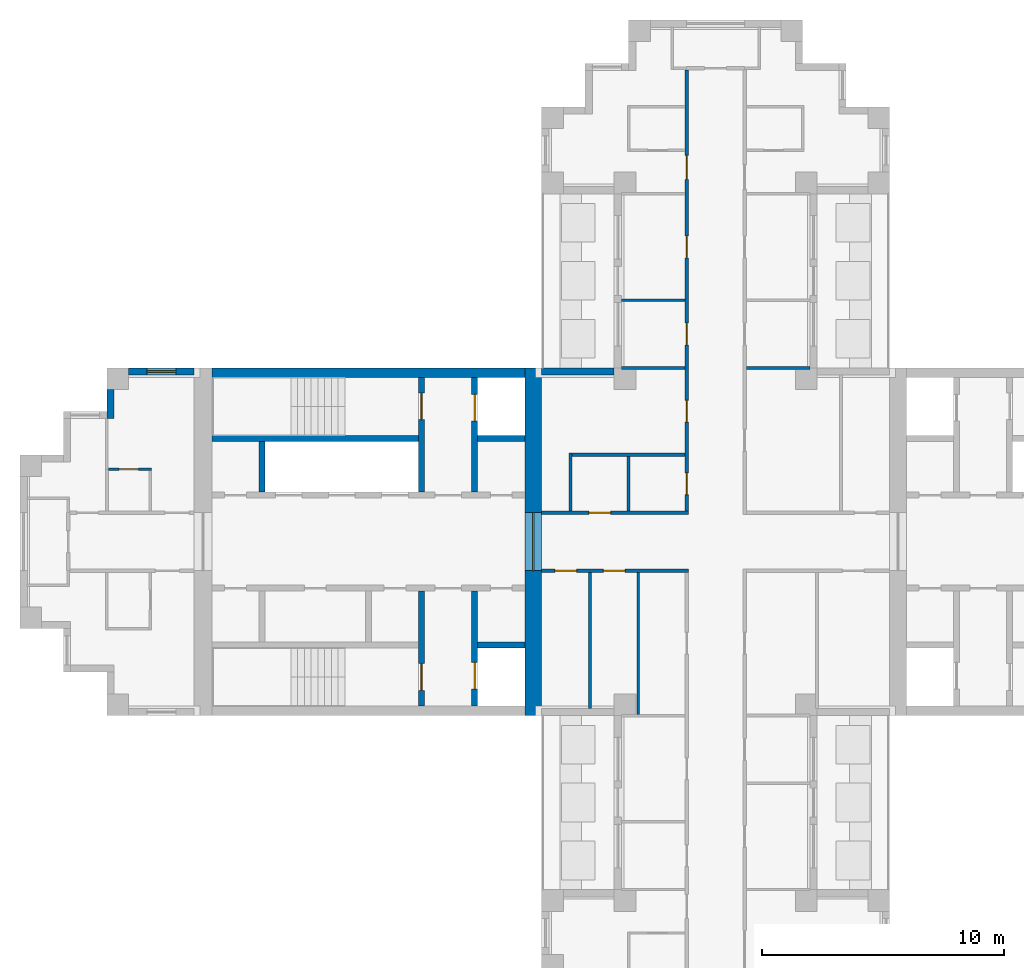
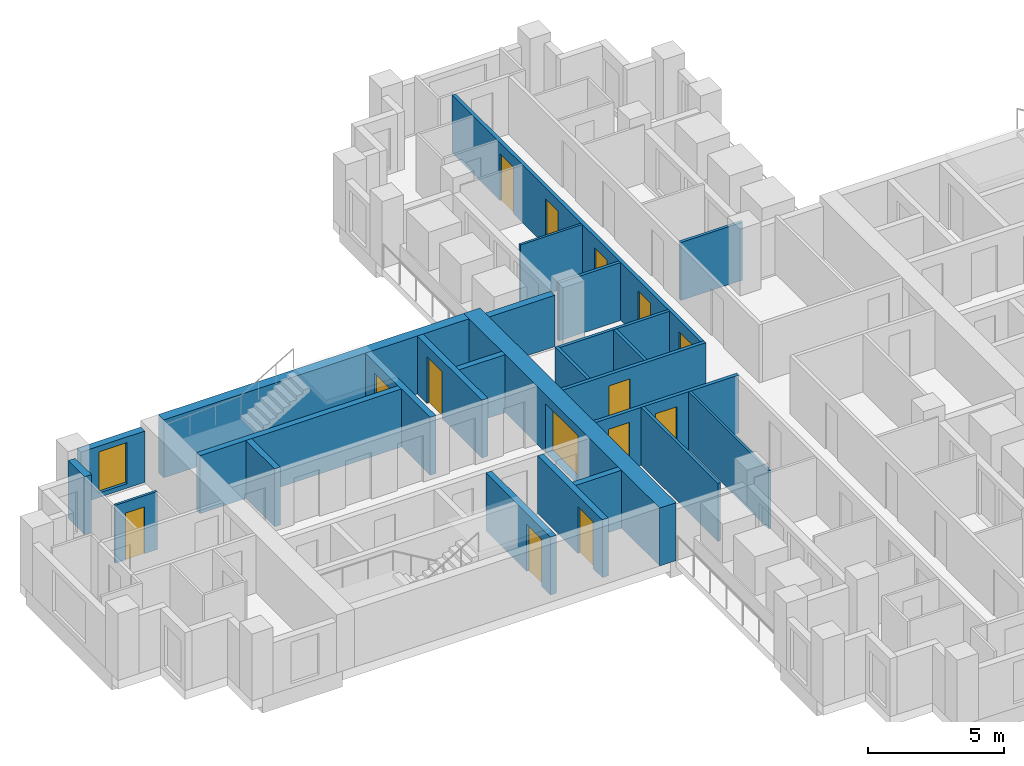
# One storey, part 4 of 10: 25 walls, 14 doors, 1 window, 15 openings.
"""IFC4 building model written with IfcOpenShell, lengths in metres."""

from ifc_helpers import new_model, si_unit, direction, frame, frame_2d, origin, place, context, subcontext, project, spatial, rectangle, extrude, material, layer, layer_set, type_object, element, fill, save


model = new_model("IFC4")

# Units and contexts
model_context = context("Model", 3, precision=1e-05, world=origin(), true_north=direction((0.0, 1.0)))
body_context = subcontext(model_context, "Body", "Model", "MODEL_VIEW")
ifc_project = project(units=[si_unit("LENGTHUNIT", "METRE"), si_unit("AREAUNIT", "SQUARE_METRE"), si_unit("VOLUMEUNIT", "CUBIC_METRE"), si_unit("PLANEANGLEUNIT", "RADIAN"), si_unit("MASSUNIT", "GRAM", prefix="KILO")], contexts=[model_context])

# Site, building, storey
site_placement = place(None, origin())
site = spatial("IfcSite", under=ifc_project, at=site_placement, CompositionType="ELEMENT")
building_placement = place(site_placement, origin())
building = spatial("IfcBuilding", under=site, at=building_placement, Name="Fustian Cross Tower", CompositionType="ELEMENT")
storey_placement = place(building_placement, frame((0.0, 0.0, 231.89990234375)))
storey = spatial("IfcBuildingStorey", under=building, at=storey_placement, Name="L73", CompositionType="ELEMENT", Elevation=231.89990234375)

# Wall, openings, doors
ifc_material_1 = material(Name="Plasterboard on steel stud", Category="steel")
ifc_layer_1 = layer(ifc_material_1, 0.14990234375)
ifc_layer_set_1 = layer_set([ifc_layer_1], Name="Plasterboard on steel stud")
wall_type_1 = type_object("IfcWallType", Name="COMPARTMENT WALL 150 EI 60", PredefinedType="PARTITIONING", material=ifc_layer_set_1)
wall_1_placement = place(storey_placement, frame((-7.199951171875, -1.199951171875, 0.0), z_axis=(0.0, 0.0, 1.0), x_axis=(1.0, 0.0, 0.0)))
wall_1 = element("IfcWall", 1, at=wall_1_placement, inside=storey, type_object=wall_type_1, Name="Partition 15", PredefinedType="PARTITIONING", context=body_context, shape_type="SweptSolid", body=[
    extrude(rectangle(XDim=6.074951171875, YDim=0.14990234375, at=frame_2d((3.03759765625, 0.0))), origin(), (0.0, 0.0, 1.0), 2.60009765625),
])
opening_1_placement = place(wall_1_placement, frame((2.550048828125, 0.0, 0.0)))
opening_1 = element("IfcOpeningElement", 2, at=opening_1_placement, cuts=wall_1, Name="Opening D33009", PredefinedType="OPENING", context=body_context, shape_type="SweptSolid", body=[
    extrude(rectangle(XDim=0.89990234375, YDim=2.10009765625, at=frame_2d((0.449951171875, 1.050048828125))), frame((0.0, 0.0849609375, 0.0), z_axis=(0.0, -1.0, 0.0), x_axis=(1.0, 0.0, 0.0)), (0.0, 0.0, 1.0), 0.169921875),
])
opening_2_placement = place(wall_1_placement, frame((0.550048828125, 0.0, 0.0)))
opening_2 = element("IfcOpeningElement", 3, at=opening_2_placement, cuts=wall_1, Name="Opening D33010", PredefinedType="OPENING", context=body_context, shape_type="SweptSolid", body=[
    extrude(rectangle(XDim=0.89990234375, YDim=2.10009765625, at=frame_2d((0.449951171875, 1.050048828125))), frame((0.0, 0.0849609375, 0.0), z_axis=(0.0, -1.0, 0.0), x_axis=(1.0, 0.0, 0.0)), (0.0, 0.0, 1.0), 0.169921875),
])
ifc_material_2 = material(Name="Timber fire door set", Category="wood")
door_type_1 = type_object("IfcDoorType", Name="FIRE SWING DOOR 900 FD30S", OperationType="SINGLE_SWING_LEFT", PredefinedType="DOOR", material=ifc_material_2)
door_1_placement = place(opening_1_placement, frame((0.89990234375, 0.0, 0.0), z_axis=(0.0, 0.0, 1.0), x_axis=(-1.0, 0.0, 0.0)))
door_1 = element("IfcDoor", 4, at=door_1_placement, inside=storey, type_object=door_type_1, Name="Door D33009", OperationType="SINGLE_SWING_RIGHT", OverallHeight=2.10009765625, OverallWidth=0.89990234375, PredefinedType="DOOR", context=body_context, shape_type="SweptSolid", body=[
    extrude(rectangle(XDim=0.89990234375, YDim=2.10009765625, at=frame_2d((0.449951171875, 1.050048828125))), frame((0.0, 0.02490234375, 0.0), z_axis=(0.0, -1.0, 0.0), x_axis=(1.0, 0.0, 0.0)), (0.0, 0.0, 1.0), 0.050048828125),
])
fill(opening_1, door_1)
door_2_placement = place(opening_2_placement, frame((0.89990234375, 0.0, 0.0), z_axis=(0.0, 0.0, 1.0), x_axis=(-1.0, 0.0, 0.0)))
door_2 = element("IfcDoor", 5, at=door_2_placement, inside=storey, type_object=door_type_1, Name="Door D33010", OperationType="SINGLE_SWING_RIGHT", OverallHeight=2.10009765625, OverallWidth=0.89990234375, PredefinedType="DOOR", context=body_context, shape_type="SweptSolid", body=[
    extrude(rectangle(XDim=0.89990234375, YDim=2.10009765625, at=frame_2d((0.449951171875, 1.050048828125))), frame((0.0, 0.02490234375, 0.0), z_axis=(0.0, -1.0, 0.0), x_axis=(1.0, 0.0, 0.0)), (0.0, 0.0, 1.0), 0.050048828125),
])
fill(opening_2, door_2)

# Wall, opening, door
wall_2_placement = place(storey_placement, frame((-7.199951171875, 1.199951171875, 0.0), z_axis=(0.0, 0.0, 1.0), x_axis=(1.0, 0.0, 0.0)))
wall_2 = element("IfcWall", 6, at=wall_2_placement, inside=storey, type_object=wall_type_1, Name="Partition 16", PredefinedType="PARTITIONING", context=body_context, shape_type="SweptSolid", body=[
    extrude(rectangle(XDim=6.074951171875, YDim=0.14990234375, at=frame_2d((3.03759765625, 0.0))), origin(), (0.0, 0.0, 1.0), 2.60009765625),
])
opening_3_placement = place(wall_2_placement, frame((1.949951171875, 0.0, 0.0)))
opening_3 = element("IfcOpeningElement", 7, at=opening_3_placement, cuts=wall_2, Name="Opening D33004", PredefinedType="OPENING", context=body_context, shape_type="SweptSolid", body=[
    extrude(rectangle(XDim=0.89990234375, YDim=2.10009765625, at=frame_2d((0.449951171875, 1.050048828125))), frame((0.0, 0.0849609375, 0.0), z_axis=(0.0, -1.0, 0.0), x_axis=(1.0, 0.0, 0.0)), (0.0, 0.0, 1.0), 0.169921875),
])
door_3_placement = place(opening_3_placement, origin())
door_3 = element("IfcDoor", 8, at=door_3_placement, inside=storey, type_object=door_type_1, Name="Door D33004", OperationType="SINGLE_SWING_LEFT", OverallHeight=2.10009765625, OverallWidth=0.89990234375, PredefinedType="DOOR", context=body_context, shape_type="SweptSolid", body=[
    extrude(rectangle(XDim=0.89990234375, YDim=2.10009765625, at=frame_2d((0.449951171875, 1.050048828125))), frame((0.0, 0.02490234375, 0.0), z_axis=(0.0, -1.0, 0.0), x_axis=(1.0, 0.0, 0.0)), (0.0, 0.0, 1.0), 0.050048828125),
])
fill(opening_3, door_3)

# Wall, openings, doors
wall_3_placement = place(storey_placement, frame((-1.199951171875, 1.27490234375, 0.0), z_axis=(0.0, 0.0, 1.0), x_axis=(0.0, 1.0, 0.0)))
wall_3 = element("IfcWall", 9, at=wall_3_placement, inside=storey, type_object=wall_type_1, Name="Partition 40", PredefinedType="PARTITIONING", context=body_context, shape_type="SweptSolid", body=[
    extrude(rectangle(XDim=18.25, YDim=0.14990234375, at=frame_2d((9.125, 0.0))), origin(), (0.0, 0.0, 1.0), 2.60009765625),
])
opening_4_placement = place(wall_3_placement, frame((0.675048828125, 0.0, 0.0)))
opening_4 = element("IfcOpeningElement", 10, at=opening_4_placement, cuts=wall_3, Name="Opening D33003", PredefinedType="OPENING", context=body_context, shape_type="SweptSolid", body=[
    extrude(rectangle(XDim=0.89990234375, YDim=2.10009765625, at=frame_2d((0.449951171875, 1.050048828125))), frame((0.0, 0.0849609375, 0.0), z_axis=(0.0, -1.0, 0.0), x_axis=(1.0, 0.0, 0.0)), (0.0, 0.0, 1.0), 0.169921875),
])
opening_5_placement = place(wall_3_placement, frame((3.675048828125, 0.0, 0.0)))
opening_5 = element("IfcOpeningElement", 11, at=opening_5_placement, cuts=wall_3, Name="Opening D33005", PredefinedType="OPENING", context=body_context, shape_type="SweptSolid", body=[
    extrude(rectangle(XDim=0.89990234375, YDim=2.10009765625, at=frame_2d((0.449951171875, 1.050048828125))), frame((0.0, 0.0849609375, 0.0), z_axis=(0.0, -1.0, 0.0), x_axis=(1.0, 0.0, 0.0)), (0.0, 0.0, 1.0), 0.169921875),
])
opening_6_placement = place(wall_3_placement, frame((6.875, 0.0, 0.0)))
opening_6 = element("IfcOpeningElement", 12, at=opening_6_placement, cuts=wall_3, Name="Opening D33018", PredefinedType="OPENING", context=body_context, shape_type="SweptSolid", body=[
    extrude(rectangle(XDim=0.89990234375, YDim=2.10009765625, at=frame_2d((0.449951171875, 1.050048828125))), frame((0.0, 0.0849609375, 0.0), z_axis=(0.0, -1.0, 0.0), x_axis=(1.0, 0.0, 0.0)), (0.0, 0.0, 1.0), 0.169921875),
])
opening_7_placement = place(wall_3_placement, frame((10.47509765625, 0.0, 0.0)))
opening_7 = element("IfcOpeningElement", 13, at=opening_7_placement, cuts=wall_3, Name="Opening D33019", PredefinedType="OPENING", context=body_context, shape_type="SweptSolid", body=[
    extrude(rectangle(XDim=0.89990234375, YDim=2.10009765625, at=frame_2d((0.449951171875, 1.050048828125))), frame((0.0, 0.0849609375, 0.0), z_axis=(0.0, -1.0, 0.0), x_axis=(1.0, 0.0, 0.0)), (0.0, 0.0, 1.0), 0.169921875),
])
opening_8_placement = place(wall_3_placement, frame((13.72509765625, 0.0, 0.0)))
opening_8 = element("IfcOpeningElement", 14, at=opening_8_placement, cuts=wall_3, Name="Opening D33021", PredefinedType="OPENING", context=body_context, shape_type="SweptSolid", body=[
    extrude(rectangle(XDim=1.0, YDim=2.10009765625, at=frame_2d((0.5, 1.050048828125))), frame((0.0, 0.0849609375, 0.0), z_axis=(0.0, -1.0, 0.0), x_axis=(1.0, 0.0, 0.0)), (0.0, 0.0, 1.0), 0.169921875),
])
ifc_material_3 = material(Name="Timber fire door set", Category="wood")
door_type_2 = type_object("IfcDoorType", Name="FIRE SWING DOOR 1000 FD30S", OperationType="SINGLE_SWING_LEFT", PredefinedType="DOOR", material=ifc_material_3)
door_4_placement = place(opening_8_placement, origin())
door_4 = element("IfcDoor", 15, at=door_4_placement, inside=storey, type_object=door_type_2, Name="Door D33021", OperationType="SINGLE_SWING_RIGHT", OverallHeight=2.10009765625, OverallWidth=1.0, PredefinedType="DOOR", context=body_context, shape_type="SweptSolid", body=[
    extrude(rectangle(XDim=1.0, YDim=2.10009765625, at=frame_2d((0.5, 1.050048828125))), frame((0.0, 0.02490234375, 0.0), z_axis=(0.0, -1.0, 0.0), x_axis=(1.0, 0.0, 0.0)), (0.0, 0.0, 1.0), 0.050048828125),
])
fill(opening_8, door_4)
door_5_placement = place(opening_4_placement, origin())
door_5 = element("IfcDoor", 16, at=door_5_placement, inside=storey, type_object=door_type_1, Name="Door D33003", OperationType="SINGLE_SWING_LEFT", OverallHeight=2.10009765625, OverallWidth=0.89990234375, PredefinedType="DOOR", context=body_context, shape_type="SweptSolid", body=[
    extrude(rectangle(XDim=0.89990234375, YDim=2.10009765625, at=frame_2d((0.449951171875, 1.050048828125))), frame((0.0, 0.02490234375, 0.0), z_axis=(0.0, -1.0, 0.0), x_axis=(1.0, 0.0, 0.0)), (0.0, 0.0, 1.0), 0.050048828125),
])
fill(opening_4, door_5)
door_6_placement = place(opening_5_placement, origin())
door_6 = element("IfcDoor", 17, at=door_6_placement, inside=storey, type_object=door_type_1, Name="Door D33005", OperationType="SINGLE_SWING_LEFT", OverallHeight=2.10009765625, OverallWidth=0.89990234375, PredefinedType="DOOR", context=body_context, shape_type="SweptSolid", body=[
    extrude(rectangle(XDim=0.89990234375, YDim=2.10009765625, at=frame_2d((0.449951171875, 1.050048828125))), frame((0.0, 0.02490234375, 0.0), z_axis=(0.0, -1.0, 0.0), x_axis=(1.0, 0.0, 0.0)), (0.0, 0.0, 1.0), 0.050048828125),
])
fill(opening_5, door_6)
door_7_placement = place(opening_6_placement, origin())
door_7 = element("IfcDoor", 18, at=door_7_placement, inside=storey, type_object=door_type_1, Name="Door D33018", OperationType="SINGLE_SWING_LEFT", OverallHeight=2.10009765625, OverallWidth=0.89990234375, PredefinedType="DOOR", context=body_context, shape_type="SweptSolid", body=[
    extrude(rectangle(XDim=0.89990234375, YDim=2.10009765625, at=frame_2d((0.449951171875, 1.050048828125))), frame((0.0, 0.02490234375, 0.0), z_axis=(0.0, -1.0, 0.0), x_axis=(1.0, 0.0, 0.0)), (0.0, 0.0, 1.0), 0.050048828125),
])
fill(opening_6, door_7)
door_8_placement = place(opening_7_placement, origin())
door_8 = element("IfcDoor", 19, at=door_8_placement, inside=storey, type_object=door_type_1, Name="Door D33019", OperationType="SINGLE_SWING_LEFT", OverallHeight=2.10009765625, OverallWidth=0.89990234375, PredefinedType="DOOR", context=body_context, shape_type="SweptSolid", body=[
    extrude(rectangle(XDim=0.89990234375, YDim=2.10009765625, at=frame_2d((0.449951171875, 1.050048828125))), frame((0.0, 0.02490234375, 0.0), z_axis=(0.0, -1.0, 0.0), x_axis=(1.0, 0.0, 0.0)), (0.0, 0.0, 1.0), 0.050048828125),
])
fill(opening_7, door_8)

# Wall, opening, door
ifc_material_4 = material(Name="Concrete C50/60", Category="concrete")
ifc_layer_2 = layer(ifc_material_4, 0.699951171875)
ifc_layer_set_2 = layer_set([ifc_layer_2], Name="Concrete C50/60")
wall_type_2 = type_object("IfcWallType", Name="CORE END WALL 700 C50/60", PredefinedType="SHEAR", material=ifc_layer_set_2)
wall_4_placement = place(storey_placement, frame((-7.550048828125, -7.199951171875, 0.0), z_axis=(0.0, 0.0, 1.0), x_axis=(0.0, 1.0, 0.0)))
wall_4 = element("IfcWall", 20, at=wall_4_placement, inside=storey, type_object=wall_type_2, Name="Core end wall", PredefinedType="SHEAR", context=body_context, shape_type="SweptSolid", body=[
    extrude(rectangle(XDim=14.39990234375, YDim=0.699951171875, at=frame_2d((7.199951171875, 0.0))), origin(), (0.0, 0.0, 1.0), 2.60009765625),
])
opening_9_placement = place(wall_4_placement, frame((6.0, 0.0, 0.0)))
opening_9 = element("IfcOpeningElement", 21, at=opening_9_placement, cuts=wall_4, Name="Opening CD-28-29", PredefinedType="OPENING", context=body_context, shape_type="SweptSolid", body=[
    extrude(rectangle(XDim=2.39990234375, YDim=2.199951171875, at=frame_2d((1.199951171875, 1.10009765625))), frame((0.0, 0.35986328125, 0.0), z_axis=(0.0, -1.0, 0.0), x_axis=(1.0, 0.0, 0.0)), (0.0, 0.0, 1.0), 0.719970703125),
])
ifc_material_5 = material(Name="Steel", Category="steel")
door_type_3 = type_object("IfcDoorType", Name="FIRE DOOR FD30S DOUBLE 2400X2200", OperationType="DOUBLE_DOOR_DOUBLE_SWING", PredefinedType="DOOR", material=ifc_material_5)
door_9_placement = place(opening_9_placement, origin())
door_9 = element("IfcDoor", 22, at=door_9_placement, inside=storey, type_object=door_type_3, Name="Core door CD-28-29", OperationType="DOUBLE_DOOR_DOUBLE_SWING", OverallHeight=2.199951171875, OverallWidth=2.39990234375, PredefinedType="DOOR", context=body_context, shape_type="SweptSolid", body=[
    extrude(rectangle(XDim=2.39990234375, YDim=2.199951171875, at=frame_2d((1.199951171875, 1.10009765625))), frame((0.0, 0.02490234375, 0.0), z_axis=(0.0, -1.0, 0.0), x_axis=(1.0, 0.0, 0.0)), (0.0, 0.0, 1.0), 0.050048828125),
])
fill(opening_9, door_9)

# Walls
ifc_material_6 = material(Name="Concrete C50/60", Category="concrete")
ifc_layer_3 = layer(ifc_material_6, 0.39990234375)
ifc_layer_set_3 = layer_set([ifc_layer_3], Name="Concrete C50/60")
wall_type_3 = type_object("IfcWallType", Name="CORE FACADE WALL 400 C50/60", PredefinedType="SHEAR", material=ifc_layer_set_3)
wall_5_placement = place(storey_placement, frame((-7.89990234375, 7.0, 0.0), z_axis=(0.0, 0.0, 1.0), x_axis=(-1.0, 0.0, 0.0)))
element("IfcWall", 23, at=wall_5_placement, inside=storey, type_object=wall_type_3, Name="Core facade wall", PredefinedType="SHEAR", context=body_context, shape_type="SweptSolid", body=[
    extrude(rectangle(XDim=12.9501953125, YDim=0.39990234375, at=frame_2d((6.47509765625, 0.0))), origin(), (0.0, 0.0, 1.0), 2.60009765625),
])
ifc_material_7 = material(Name="Concrete C50/60", Category="concrete")
ifc_layer_4 = layer(ifc_material_7, 0.25)
ifc_layer_set_4 = layer_set([ifc_layer_4], Name="Concrete C50/60")
wall_type_4 = type_object("IfcWallType", Name="CORE SHAFT WALL 250 C50/60", PredefinedType="SHEAR", material=ifc_layer_set_4)
wall_6_placement = place(storey_placement, frame((-7.89990234375, 4.27490234375, 0.0), z_axis=(0.0, 0.0, 1.0), x_axis=(-1.0, 0.0, 0.0)))
element("IfcWall", 24, at=wall_6_placement, inside=storey, type_object=wall_type_4, Name="Core shaft wall", PredefinedType="SHEAR", context=body_context, shape_type="SweptSolid", body=[
    extrude(rectangle(XDim=1.9501953125, YDim=0.25, at=frame_2d((0.97509765625, 0.0))), origin(), (0.0, 0.0, 1.0), 2.60009765625),
])
wall_7_placement = place(storey_placement, frame((-12.300048828125, 4.27490234375, 0.0), z_axis=(0.0, 0.0, 1.0), x_axis=(-1.0, 0.0, 0.0)))
element("IfcWall", 25, at=wall_7_placement, inside=storey, type_object=wall_type_4, Name="Core shaft wall", PredefinedType="SHEAR", context=body_context, shape_type="SweptSolid", body=[
    extrude(rectangle(XDim=8.550048828125, YDim=0.25, at=frame_2d((4.27490234375, 0.0))), origin(), (0.0, 0.0, 1.0), 2.60009765625),
])

# Wall, opening, door
wall_8_placement = place(storey_placement, frame((-9.97509765625, 2.050048828125, 0.0), z_axis=(0.0, 0.0, 1.0), x_axis=(0.0, 1.0, 0.0)))
wall_8 = element("IfcWall", 26, at=wall_8_placement, inside=storey, type_object=wall_type_4, Name="Core shaft wall", PredefinedType="SHEAR", context=body_context, shape_type="SweptSolid", body=[
    extrude(rectangle(XDim=4.75, YDim=0.25, at=frame_2d((2.375, 0.0))), origin(), (0.0, 0.0, 1.0), 2.60009765625),
])
opening_10_placement = place(wall_8_placement, frame((2.949951171875, 0.0, 0.0)))
opening_10 = element("IfcOpeningElement", 27, at=opening_10_placement, cuts=wall_8, Name="Opening LD", PredefinedType="OPENING", context=body_context, shape_type="SweptSolid", body=[
    extrude(rectangle(XDim=1.10009765625, YDim=2.10009765625, at=frame_2d((0.550048828125, 1.050048828125))), frame((0.0, 0.135009765625, 0.0), z_axis=(0.0, -1.0, 0.0), x_axis=(1.0, 0.0, 0.0)), (0.0, 0.0, 1.0), 0.27001953125),
])
ifc_material_8 = material(Name="Stainless steel", Category="steel")
door_type_4 = type_object("IfcDoorType", Name="LIFT LANDING DOOR 1100X2100", OperationType="SLIDING_TO_LEFT", PredefinedType="DOOR", material=ifc_material_8)
door_10_placement = place(opening_10_placement, origin())
door_10 = element("IfcDoor", 28, at=door_10_placement, inside=storey, type_object=door_type_4, Name="Landing door FL1W", OperationType="SLIDING_TO_LEFT", OverallHeight=2.10009765625, OverallWidth=1.10009765625, PredefinedType="DOOR", context=body_context, shape_type="SweptSolid", body=[
    extrude(rectangle(XDim=1.10009765625, YDim=2.10009765625, at=frame_2d((0.550048828125, 1.050048828125))), frame((0.0, 0.02490234375, 0.0), z_axis=(0.0, -1.0, 0.0), x_axis=(1.0, 0.0, 0.0)), (0.0, 0.0, 1.0), 0.050048828125),
])
fill(opening_10, door_10)

wall_9_placement = place(storey_placement, frame((-12.175048828125, 2.050048828125, 0.0), z_axis=(0.0, 0.0, 1.0), x_axis=(0.0, 1.0, 0.0)))
wall_9 = element("IfcWall", 29, at=wall_9_placement, inside=storey, type_object=wall_type_4, Name="Core shaft wall", PredefinedType="SHEAR", context=body_context, shape_type="SweptSolid", body=[
    extrude(rectangle(XDim=4.75, YDim=0.25, at=frame_2d((2.375, 0.0))), origin(), (0.0, 0.0, 1.0), 2.60009765625),
])
opening_11_placement = place(wall_9_placement, frame((3.0, 0.0, 0.0)))
opening_11 = element("IfcOpeningElement", 30, at=opening_11_placement, cuts=wall_9, Name="Opening CD-28-23", PredefinedType="OPENING", context=body_context, shape_type="SweptSolid", body=[
    extrude(rectangle(XDim=1.10009765625, YDim=2.10009765625, at=frame_2d((0.550048828125, 1.050048828125))), frame((0.0, 0.135009765625, 0.0), z_axis=(0.0, -1.0, 0.0), x_axis=(1.0, 0.0, 0.0)), (0.0, 0.0, 1.0), 0.27001953125),
])
ifc_material_9 = material(Name="Steel", Category="steel")
door_type_5 = type_object("IfcDoorType", Name="FIRE DOOR FD60S 1100X2100", OperationType="SINGLE_SWING_LEFT", PredefinedType="DOOR", material=ifc_material_9)
door_11_placement = place(opening_11_placement, origin())
door_11 = element("IfcDoor", 31, at=door_11_placement, inside=storey, type_object=door_type_5, Name="Core door CD-28-23", OperationType="SINGLE_SWING_LEFT", OverallHeight=2.10009765625, OverallWidth=1.10009765625, PredefinedType="DOOR", context=body_context, shape_type="SweptSolid", body=[
    extrude(rectangle(XDim=1.10009765625, YDim=2.10009765625, at=frame_2d((0.550048828125, 1.050048828125))), frame((0.0, 0.02490234375, 0.0), z_axis=(0.0, -1.0, 0.0), x_axis=(1.0, 0.0, 0.0)), (0.0, 0.0, 1.0), 0.050048828125),
])
fill(opening_11, door_11)

# Wall
wall_10_placement = place(storey_placement, frame((-7.89990234375, -4.27490234375, 0.0), z_axis=(0.0, 0.0, 1.0), x_axis=(-1.0, 0.0, 0.0)))
element("IfcWall", 32, at=wall_10_placement, inside=storey, type_object=wall_type_4, Name="Core shaft wall", PredefinedType="SHEAR", context=body_context, shape_type="SweptSolid", body=[
    extrude(rectangle(XDim=1.9501953125, YDim=0.25, at=frame_2d((0.97509765625, 0.0))), origin(), (0.0, 0.0, 1.0), 2.60009765625),
])

# Wall, opening, door
wall_11_placement = place(storey_placement, frame((-9.97509765625, -2.050048828125, 0.0), z_axis=(0.0, 0.0, 1.0), x_axis=(0.0, -1.0, 0.0)))
wall_11 = element("IfcWall", 33, at=wall_11_placement, inside=storey, type_object=wall_type_4, Name="Core shaft wall", PredefinedType="SHEAR", context=body_context, shape_type="SweptSolid", body=[
    extrude(rectangle(XDim=4.75, YDim=0.25, at=frame_2d((2.375, 0.0))), origin(), (0.0, 0.0, 1.0), 2.60009765625),
])
opening_12_placement = place(wall_11_placement, frame((2.949951171875, 0.0, 0.0)))
opening_12 = element("IfcOpeningElement", 34, at=opening_12_placement, cuts=wall_11, Name="Opening LD", PredefinedType="OPENING", context=body_context, shape_type="SweptSolid", body=[
    extrude(rectangle(XDim=1.10009765625, YDim=2.10009765625, at=frame_2d((0.550048828125, 1.050048828125))), frame((0.0, 0.135009765625, 0.0), z_axis=(0.0, -1.0, 0.0), x_axis=(1.0, 0.0, 0.0)), (0.0, 0.0, 1.0), 0.27001953125),
])
door_12_placement = place(opening_12_placement, origin())
door_12 = element("IfcDoor", 35, at=door_12_placement, inside=storey, type_object=door_type_4, Name="Landing door SV1W", OperationType="SLIDING_TO_LEFT", OverallHeight=2.10009765625, OverallWidth=1.10009765625, PredefinedType="DOOR", context=body_context, shape_type="SweptSolid", body=[
    extrude(rectangle(XDim=1.10009765625, YDim=2.10009765625, at=frame_2d((0.550048828125, 1.050048828125))), frame((0.0, 0.02490234375, 0.0), z_axis=(0.0, -1.0, 0.0), x_axis=(1.0, 0.0, 0.0)), (0.0, 0.0, 1.0), 0.050048828125),
])
fill(opening_12, door_12)

wall_12_placement = place(storey_placement, frame((-12.175048828125, -2.050048828125, 0.0), z_axis=(0.0, 0.0, 1.0), x_axis=(0.0, -1.0, 0.0)))
wall_12 = element("IfcWall", 36, at=wall_12_placement, inside=storey, type_object=wall_type_4, Name="Core shaft wall", PredefinedType="SHEAR", context=body_context, shape_type="SweptSolid", body=[
    extrude(rectangle(XDim=4.75, YDim=0.25, at=frame_2d((2.375, 0.0))), origin(), (0.0, 0.0, 1.0), 2.60009765625),
])
opening_13_placement = place(wall_12_placement, frame((3.0, 0.0, 0.0)))
opening_13 = element("IfcOpeningElement", 37, at=opening_13_placement, cuts=wall_12, Name="Opening CD-28-24", PredefinedType="OPENING", context=body_context, shape_type="SweptSolid", body=[
    extrude(rectangle(XDim=1.10009765625, YDim=2.10009765625, at=frame_2d((0.550048828125, 1.050048828125))), frame((0.0, 0.135009765625, 0.0), z_axis=(0.0, -1.0, 0.0), x_axis=(1.0, 0.0, 0.0)), (0.0, 0.0, 1.0), 0.27001953125),
])
door_13_placement = place(opening_13_placement, frame((1.10009765625, 0.0, 0.0), z_axis=(0.0, 0.0, 1.0), x_axis=(-1.0, 0.0, 0.0)))
door_13 = element("IfcDoor", 38, at=door_13_placement, inside=storey, type_object=door_type_5, Name="Core door CD-28-24", OperationType="SINGLE_SWING_RIGHT", OverallHeight=2.10009765625, OverallWidth=1.10009765625, PredefinedType="DOOR", context=body_context, shape_type="SweptSolid", body=[
    extrude(rectangle(XDim=1.10009765625, YDim=2.10009765625, at=frame_2d((0.550048828125, 1.050048828125))), frame((0.0, 0.02490234375, 0.0), z_axis=(0.0, -1.0, 0.0), x_axis=(1.0, 0.0, 0.0)), (0.0, 0.0, 1.0), 0.050048828125),
])
fill(opening_13, door_13)

ifc_material_10 = material(Name="Plasterboard on steel stud", Category="steel")
ifc_layer_5 = layer(ifc_material_10, 0.10009765625)
ifc_layer_set_5 = layer_set([ifc_layer_5], Name="Plasterboard on steel stud")
wall_type_5 = type_object("IfcWallType", Name="PARTITION 100 STUD", PredefinedType="PARTITIONING", material=ifc_layer_set_5)
wall_13_placement = place(storey_placement, frame((-25.137451171875, 3.0, 0.0), z_axis=(0.0, 0.0, 1.0), x_axis=(1.0, 0.0, 0.0)))
wall_13 = element("IfcWall", 39, at=wall_13_placement, inside=storey, type_object=wall_type_5, Name="Partition 12", PredefinedType="PARTITIONING", context=body_context, shape_type="SweptSolid", body=[
    extrude(rectangle(XDim=1.787353515625, YDim=0.10009765625, at=frame_2d((0.8935546875, 0.0))), origin(), (0.0, 0.0, 1.0), 2.60009765625),
])
opening_14_placement = place(wall_13_placement, frame((0.4375, 0.0, 0.0)))
opening_14 = element("IfcOpeningElement", 40, at=opening_14_placement, cuts=wall_13, Name="Opening D33029", PredefinedType="OPENING", context=body_context, shape_type="SweptSolid", body=[
    extrude(rectangle(XDim=0.800048828125, YDim=2.10009765625, at=frame_2d((0.39990234375, 1.050048828125))), frame((0.0, 0.06005859375, 0.0), z_axis=(0.0, -1.0, 0.0), x_axis=(1.0, 0.0, 0.0)), (0.0, 0.0, 1.0), 0.1201171875),
])
ifc_material_11 = material(Name="Painted timber", Category="wood")
door_type_6 = type_object("IfcDoorType", Name="SWING DOOR 800", OperationType="SINGLE_SWING_LEFT", PredefinedType="DOOR", material=ifc_material_11)
door_14_placement = place(opening_14_placement, frame((0.800048828125, 0.0, 0.0), z_axis=(0.0, 0.0, 1.0), x_axis=(-1.0, 0.0, 0.0)))
door_14 = element("IfcDoor", 41, at=door_14_placement, inside=storey, type_object=door_type_6, Name="Door D33029", OperationType="SINGLE_SWING_LEFT", OverallHeight=2.10009765625, OverallWidth=0.800048828125, PredefinedType="DOOR", context=body_context, shape_type="SweptSolid", body=[
    extrude(rectangle(XDim=0.800048828125, YDim=2.10009765625, at=frame_2d((0.39990234375, 1.050048828125))), frame((0.0, 0.02490234375, 0.0), z_axis=(0.0, -1.0, 0.0), x_axis=(1.0, 0.0, 0.0)), (0.0, 0.0, 1.0), 0.050048828125),
])
fill(opening_14, door_14)

# Walls
wall_14_placement = place(storey_placement, frame((-3.89990234375, 10.0, 0.0), z_axis=(0.0, 0.0, 1.0), x_axis=(1.0, 0.0, 0.0)))
element("IfcWall", 42, at=wall_14_placement, inside=storey, type_object=wall_type_5, Name="Partition 24", PredefinedType="PARTITIONING", context=body_context, shape_type="SweptSolid", body=[
    extrude(rectangle(XDim=2.625, YDim=0.10009765625, at=frame_2d((1.3125, 0.0))), origin(), (0.0, 0.0, 1.0), 2.60009765625),
])
wall_15_placement = place(storey_placement, frame((-3.199951171875, -7.14990234375, 0.0), z_axis=(0.0, 0.0, 1.0), x_axis=(0.0, 1.0, 0.0)))
element("IfcWall", 43, at=wall_15_placement, inside=storey, type_object=wall_type_5, Name="Partition 33", PredefinedType="PARTITIONING", context=body_context, shape_type="SweptSolid", body=[
    extrude(rectangle(XDim=5.875, YDim=0.10009765625, at=frame_2d((2.9375, 0.0))), origin(), (0.0, 0.0, 1.0), 2.60009765625),
])
ifc_material_12 = material(Name="Concrete C40/50", Category="concrete")
ifc_layer_6 = layer(ifc_material_12, 0.25)
ifc_layer_set_6 = layer_set([ifc_layer_6], Name="Concrete C40/50")
wall_type_6 = type_object("IfcWallType", Name="SHAFT PARTITION WALL 250 C40/50", PredefinedType="PARTITIONING", material=ifc_layer_set_6)
wall_16_placement = place(storey_placement, frame((-18.77490234375, 2.050048828125, 0.0), z_axis=(0.0, 0.0, 1.0), x_axis=(0.0, 1.0, 0.0)))
element("IfcWall", 44, at=wall_16_placement, inside=storey, type_object=wall_type_6, Name="Core shaft wall", PredefinedType="PARTITIONING", context=body_context, shape_type="SweptSolid", body=[
    extrude(rectangle(XDim=2.099853515625, YDim=0.25, at=frame_2d((1.0498046875, 0.0))), origin(), (0.0, 0.0, 1.0), 2.60009765625),
])
ifc_material_13 = material(Name="Plasterboard on steel stud", Category="steel")
ifc_layer_7 = layer(ifc_material_13, 0.125)
ifc_layer_set_7 = layer_set([ifc_layer_7], Name="Plasterboard on steel stud")
wall_type_7 = type_object("IfcWallType", Name="WET WALL 125 STUD", PredefinedType="PARTITIONING", material=ifc_layer_set_7)
wall_17_placement = place(storey_placement, frame((-6.0, 1.27490234375, 0.0), z_axis=(0.0, 0.0, 1.0), x_axis=(0.0, 1.0, 0.0)))
element("IfcWall", 45, at=wall_17_placement, inside=storey, type_object=wall_type_7, Name="Partition 17", PredefinedType="PARTITIONING", context=body_context, shape_type="SweptSolid", body=[
    extrude(rectangle(XDim=2.3876953125, YDim=0.125, at=frame_2d((1.19384765625, 0.0))), origin(), (0.0, 0.0, 1.0), 2.60009765625),
])
wall_18_placement = place(storey_placement, frame((-5.9375, 3.60009765625, 0.0), z_axis=(0.0, 0.0, 1.0), x_axis=(1.0, 0.0, 0.0)))
element("IfcWall", 46, at=wall_18_placement, inside=storey, type_object=wall_type_7, Name="Partition 18", PredefinedType="PARTITIONING", context=body_context, shape_type="SweptSolid", body=[
    extrude(rectangle(XDim=4.66259765625, YDim=0.125, at=frame_2d((2.331298828125, 0.0))), origin(), (0.0, 0.0, 1.0), 2.60009765625),
])
wall_19_placement = place(storey_placement, frame((-5.199951171875, -6.89990234375, 0.0), z_axis=(0.0, 0.0, 1.0), x_axis=(0.0, 1.0, 0.0)))
element("IfcWall", 47, at=wall_19_placement, inside=storey, type_object=wall_type_7, Name="Partition 19", PredefinedType="PARTITIONING", context=body_context, shape_type="SweptSolid", body=[
    extrude(rectangle(XDim=5.625, YDim=0.125, at=frame_2d((2.8125, 0.0))), origin(), (0.0, 0.0, 1.0), 2.60009765625),
])
wall_20_placement = place(storey_placement, frame((-3.89990234375, 7.199951171875, 0.0), z_axis=(0.0, 0.0, 1.0), x_axis=(1.0, 0.0, 0.0)))
element("IfcWall", 48, at=wall_20_placement, inside=storey, type_object=wall_type_7, Name="Partition 23", PredefinedType="PARTITIONING", context=body_context, shape_type="SweptSolid", body=[
    extrude(rectangle(XDim=2.625, YDim=0.125, at=frame_2d((1.3125, 0.0))), origin(), (0.0, 0.0, 1.0), 2.60009765625),
])
wall_21_placement = place(storey_placement, frame((-3.60009765625, 1.27490234375, 0.0), z_axis=(0.0, 0.0, 1.0), x_axis=(0.0, 1.0, 0.0)))
element("IfcWall", 49, at=wall_21_placement, inside=storey, type_object=wall_type_7, Name="Partition 29", PredefinedType="PARTITIONING", context=body_context, shape_type="SweptSolid", body=[
    extrude(rectangle(XDim=2.2626953125, YDim=0.125, at=frame_2d((1.13134765625, 0.0))), origin(), (0.0, 0.0, 1.0), 2.60009765625),
])
wall_22_placement = place(storey_placement, frame((1.27490234375, 7.199951171875, 0.0), z_axis=(0.0, 0.0, 1.0), x_axis=(1.0, 0.0, 0.0)))
element("IfcWall", 50, at=wall_22_placement, inside=storey, type_object=wall_type_7, Name="Partition 50", PredefinedType="PARTITIONING", context=body_context, shape_type="SweptSolid", body=[
    extrude(rectangle(XDim=2.625, YDim=0.125, at=frame_2d((1.3125, 0.0))), origin(), (0.0, 0.0, 1.0), 2.60009765625),
])
ifc_material_14 = material(Name="Dark aluminium cladding on insulated backing wall", Category="aluminium")
ifc_layer_8 = layer(ifc_material_14, 0.300048828125)
ifc_layer_set_8 = layer_set([ifc_layer_8], Name="Dark aluminium cladding on insulated backing wall")
wall_type_8 = type_object("IfcWallType", Name="XW1 EXTERNAL WALL 300", PredefinedType="SOLIDWALL", material=ifc_layer_set_8)
wall_23_placement = place(storey_placement, frame((-4.199951171875, 7.050048828125, 0.0), z_axis=(0.0, 0.0, 1.0), x_axis=(-1.0, 0.0, 0.0)))
element("IfcWall", 51, at=wall_23_placement, inside=storey, type_object=wall_type_8, Name="External wall", PredefinedType="SOLIDWALL", context=body_context, shape_type="SweptSolid", body=[
    extrude(rectangle(XDim=3.0, YDim=0.300048828125, at=frame_2d((1.5, 0.0))), origin(), (0.0, 0.0, 1.0), 2.300048828125),
])

# Wall, opening, window
wall_24_placement = place(storey_placement, frame((-21.60009765625, 7.050048828125, 0.0), z_axis=(0.0, 0.0, 1.0), x_axis=(-1.0, 0.0, 0.0)))
wall_24 = element("IfcWall", 52, at=wall_24_placement, inside=storey, type_object=wall_type_8, Name="External wall", PredefinedType="SOLIDWALL", context=body_context, shape_type="SweptSolid", body=[
    extrude(rectangle(XDim=2.699951171875, YDim=0.300048828125, at=frame_2d((1.35009765625, 0.0))), origin(), (0.0, 0.0, 1.0), 2.300048828125),
])
opening_15_placement = place(wall_24_placement, frame((0.75, 0.0, 0.199951171875)))
opening_15 = element("IfcOpeningElement", 53, at=opening_15_placement, cuts=wall_24, Name="Opening WN3", PredefinedType="OPENING", context=body_context, shape_type="SweptSolid", body=[
    extrude(rectangle(XDim=1.199951171875, YDim=1.85009765625, at=frame_2d((0.60009765625, 0.925048828125))), frame((0.0, 0.159912109375, 0.0), z_axis=(0.0, -1.0, 0.0), x_axis=(1.0, 0.0, 0.0)), (0.0, 0.0, 1.0), 0.320068359375),
])
ifc_material_15 = material(Name="Dark anodised aluminium and double glazing", Category="aluminium")
window_type = type_object("IfcWindowType", Name="WN3 WINDOW 1200X1850", PartitioningType="SINGLE_PANEL", PredefinedType="WINDOW", material=ifc_material_15)
window_placement = place(opening_15_placement, origin())
window = element("IfcWindow", 54, at=window_placement, inside=storey, type_object=window_type, Name="Window", OverallHeight=1.85009765625, OverallWidth=1.199951171875, PartitioningType="SINGLE_PANEL", PredefinedType="WINDOW", context=body_context, shape_type="SweptSolid", body=[
    extrude(rectangle(XDim=1.199951171875, YDim=1.85009765625, at=frame_2d((0.60009765625, 0.925048828125))), frame((0.0, 0.030029296875, 0.0), z_axis=(0.0, -1.0, 0.0), x_axis=(1.0, 0.0, 0.0)), (0.0, 0.0, 1.0), 0.06005859375),
])
fill(opening_15, window)

# Wall
wall_25_placement = place(storey_placement, frame((-25.050048828125, 6.300048828125, 0.0), z_axis=(0.0, 0.0, 1.0), x_axis=(0.0, -1.0, 0.0)))
element("IfcWall", 55, at=wall_25_placement, inside=storey, type_object=wall_type_8, Name="External wall", PredefinedType="SOLIDWALL", context=body_context, shape_type="SweptSolid", body=[
    extrude(rectangle(XDim=1.199951171875, YDim=0.300048828125, at=frame_2d((0.60009765625, 0.0))), origin(), (0.0, 0.0, 1.0), 2.60009765625),
])

save(model, "model.ifc")
